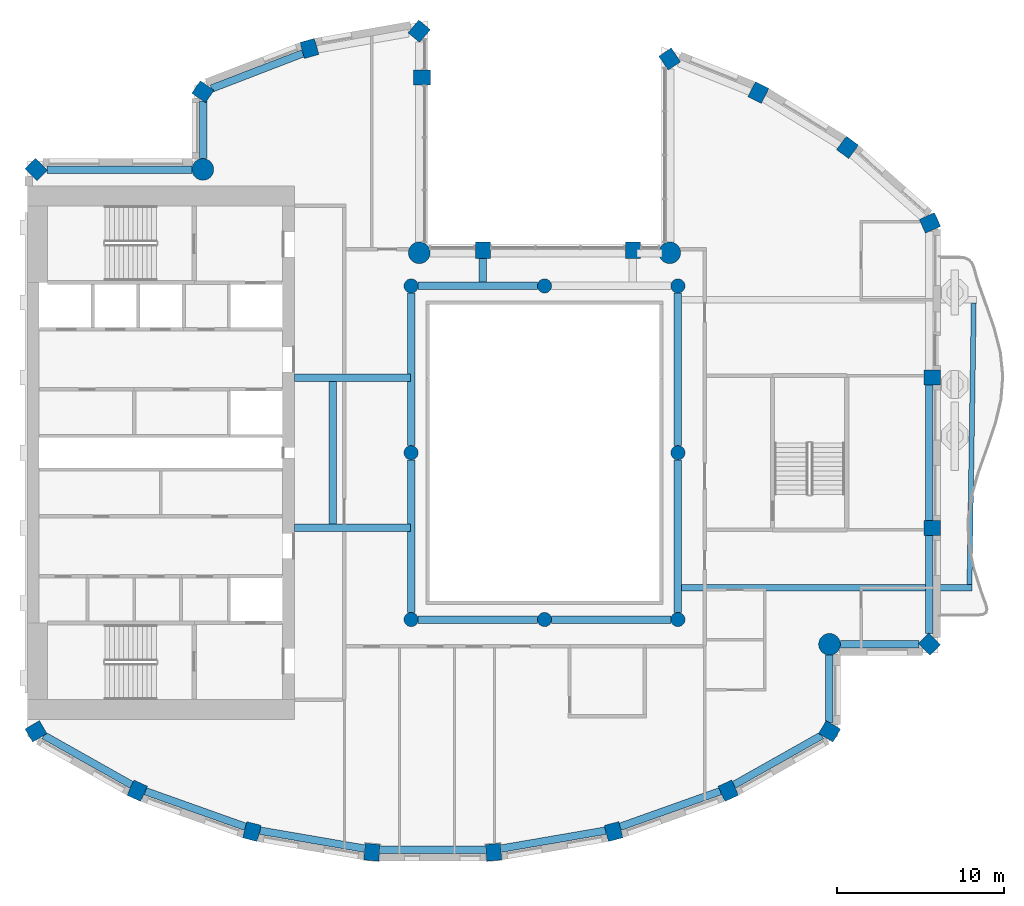
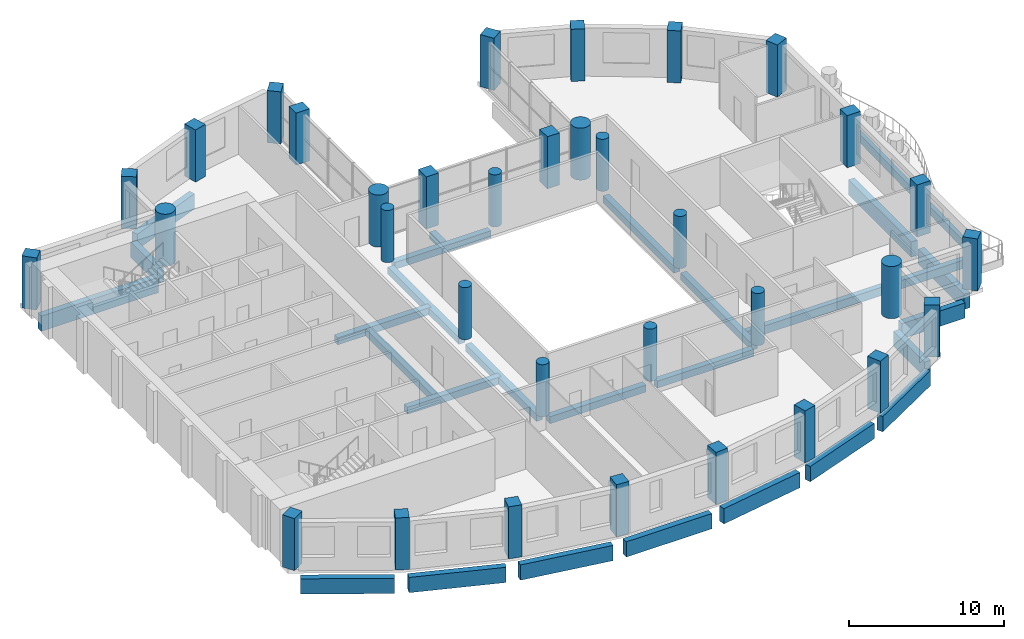
# One storey, part 1 of 14: 34 columns, 27 beams.
"""IFC4 building model written with IfcOpenShell, lengths in metres."""

from ifc_helpers import new_model, si_unit, direction, frame, origin, origin_2d, place, context, subcontext, project, spatial, rectangle, circle, extrude, material, material_profile, profile_set, type_object, element, save


model = new_model("IFC4")

# Units and contexts
model_context = context("Model", 3, precision=1e-05, world=origin(), true_north=direction((0.0, 1.0)))
body_context = subcontext(model_context, "Body", "Model", "MODEL_VIEW")
ifc_project = project(units=[si_unit("LENGTHUNIT", "METRE"), si_unit("AREAUNIT", "SQUARE_METRE"), si_unit("VOLUMEUNIT", "CUBIC_METRE"), si_unit("PLANEANGLEUNIT", "RADIAN"), si_unit("MASSUNIT", "GRAM", prefix="KILO")], contexts=[model_context])

# Site, building, storey
site_placement = place(None, origin())
site = spatial("IfcSite", under=ifc_project, at=site_placement, CompositionType="ELEMENT")
building_placement = place(site_placement, origin())
building = spatial("IfcBuilding", under=site, at=building_placement, Name="Cypress Arch Tower", CompositionType="ELEMENT")
storey_placement = place(building_placement, frame((0.0, 0.0, 300.800048828125)))
storey = spatial("IfcBuildingStorey", under=building, at=storey_placement, Name="L68", CompositionType="ELEMENT", Elevation=300.800048828125)

# Columns
ifc_material_1 = material(Name="Concrete C60/75", Category="concrete")
ifc_material_profile_1 = material_profile(ifc_material_1, rectangle(XDim=0.89990234375, YDim=1.0, at=origin_2d()), Name="RC 900x1000")
ifc_profile_set_1 = profile_set([ifc_material_profile_1], Name="Concrete C60/75")
column_type_1 = type_object("IfcColumnType", Name="Column RC 900x1000 Concrete C60/75", PredefinedType="COLUMN", material=ifc_profile_set_1)
for number, where, z_axis, x_axis, name in (
    (1, (8.5029296875, 23.606201171875, 0.0), (0.0, 0.0, 1.0), (-0.828469606019, -0.560034027451, 0.0), "Column L68 CC00"),
    (2, (6.300048828125, 12.14990234375, 0.0), (0.0, 0.0, 1.0), (-1.0, 0.0, 0.0), "Column L68 CC02"),
    (3, (-2.699951171875, 12.14990234375, 0.0), (0.0, 0.0, 1.0), (-1.0, 0.0, 0.0), "Column L68 CC03"),
    (4, (-6.35009765625, 22.5, 0.0), (0.0, 0.0, 1.0), (0.0, 1.0, 0.0), "Column L68 CC05"),
    (5, (-6.51611328125, 25.27490234375, 0.0), (0.0, 0.0, 1.0), (-0.766063514674, 0.642764880407, 0.0), "Column L68 CC06"),
    (6, (-13.0947265625, 24.241455078125, 0.0), (0.0, 0.0, 1.0), (-0.96345574646, -0.267867550506, 0.0), "Column L68 CC07"),
    (7, (-19.483154296875, 21.645263671875, 0.0), (0.0, 0.0, 1.0), (-0.565892599589, -0.824478966215, 0.0), "Column L68 CC08"),
    (8, (-29.478271484375, 16.978271484375, 0.0), (0.0, 0.0, 1.0), (-0.707106781187, -0.707106781187, 0.0), "Column L68 CC10"),
    (9, (-29.4912109375, -16.702880859375, 0.0), (0.0, 0.0, 1.0), (0.504399289829, -0.86347053014, 0.0), "Column L68 CC11"),
    (10, (-23.4189453125, -20.266845703125, 0.0), (0.0, 0.0, 1.0), (0.909932071487, -0.414757308891, 0.0), "Column L68 CC12"),
    (11, (-16.541748046875, -22.714599609375, 0.0), (0.0, 0.0, 1.0), (0.96735573689, -0.2534223319, 0.0), "Column L68 CC13"),
    (12, (-9.346923828125, -23.95361328125, 0.0), (0.0, 0.0, 1.0), (0.996368206733, -0.085149260784, 0.0), "Column L68 CC14"),
    (13, (-2.052978515625, -23.95361328125, 0.0), (0.0, 0.0, 1.0), (0.996368206733, 0.085149260784, 0.0), "Column L68 CC15"),
    (14, (5.1416015625, -22.714599609375, 0.0), (0.0, 0.0, 1.0), (0.96735573689, 0.2534223319, 0.0), "Column L68 CC16"),
    (15, (12.01904296875, -20.266845703125, 0.0), (0.0, 0.0, 1.0), (0.909932071487, 0.414757308891, 0.0), "Column L68 CC17"),
    (16, (18.09130859375, -16.702880859375, 0.0), (0.0, 0.0, 1.0), (0.504399289829, 0.86347053014, 0.0), "Column L68 CC18"),
    (17, (24.078369140625, -11.478271484375, 0.0), (0.0, 0.0, 1.0), (0.707106781187, 0.707106781187, 0.0), "Column L68 CC20"),
    (18, (24.25, -4.5, 0.0), (0.0, 0.0, 1.0), (0.0, 1.0, 0.0), "Column L68 CC21"),
    (19, (24.25, 4.5, 0.0), (0.0, 0.0, 1.0), (0.0, 1.0, 0.0), "Column L68 CC22"),
    (20, (24.109619140625, 13.77978515625, 0.0), (0.0, 0.0, 1.0), (-0.409765058504, 0.912191096662, 0.0), "Column L68 CC23"),
    (21, (19.168212890625, 18.307861328125, 0.0), (0.0, 0.0, 1.0), (-0.802798546114, 0.596250362144, 0.0), "Column L68 CC24"),
    (22, (13.82568359375, 21.59375, 0.0), (0.0, 0.0, 1.0), (-0.893106499805, 0.44984528452, 0.0), "Column L68 CC25"),
):
    element("IfcColumn", number, at=place(storey_placement, frame(where, z_axis=z_axis, x_axis=x_axis)), inside=storey, type_object=column_type_1, Name=name, PredefinedType="COLUMN", context=body_context, shape_type="SweptSolid", body=[
        extrude(rectangle(XDim=0.89990234375, YDim=1.0, at=origin_2d()), origin(), (0.0, 0.0, 1.0), 4.099853515625),
    ])
ifc_material_2 = material(Name="Concrete C60/75", Category="concrete")
ifc_material_profile_2 = material_profile(ifc_material_2, circle(Radius=0.425048828125, at=origin_2d()), Name="RC D850")
ifc_profile_set_2 = profile_set([ifc_material_profile_2], Name="Concrete C60/75")
column_type_2 = type_object("IfcColumnType", Name="Column RC D850 Concrete C60/75", PredefinedType="COLUMN", material=ifc_profile_set_2)
for number, where, z_axis, x_axis, name in (
    (23, (-7.0, -10.0, 0.0), (0.0, 0.0, 1.0), (1.0, 0.0, 0.0), "Column L68 RNG-L68-G-7-10"),
    (24, (-7.0, 0.0, 0.0), (0.0, 0.0, 1.0), (1.0, 0.0, 0.0), "Column L68 RNG-L68-G-7+0"),
    (25, (-7.0, 10.0, 0.0), (0.0, 0.0, 1.0), (1.0, 0.0, 0.0), "Column L68 RNG-L68-G-7+10"),
    (26, (1.0, -10.0, 0.0), (0.0, 0.0, 1.0), (1.0, 0.0, 0.0), "Column L68 RNG-L68-G+1-10"),
    (27, (1.0, 10.0, 0.0), (0.0, 0.0, 1.0), (1.0, 0.0, 0.0), "Column L68 RNG-L68-G+1+10"),
    (28, (9.0, -10.0, 0.0), (0.0, 0.0, 1.0), (1.0, 0.0, 0.0), "Column L68 RNG-L68-G+9-10"),
    (29, (9.0, 0.0, 0.0), (0.0, 0.0, 1.0), (1.0, 0.0, 0.0), "Column L68 RNG-L68-G+9+0"),
    (30, (9.0, 10.0, 0.0), (0.0, 0.0, 1.0), (1.0, 0.0, 0.0), "Column L68 RNG-L68-G+9+10"),
):
    element("IfcColumn", number, at=place(storey_placement, frame(where, z_axis=z_axis, x_axis=x_axis)), inside=storey, type_object=column_type_2, Name=name, PredefinedType="COLUMN", context=body_context, shape_type="SweptSolid", body=[
        extrude(circle(Radius=0.425048828125, at=origin_2d()), origin(), (0.0, 0.0, 1.0), 4.099853515625),
    ])
ifc_material_3 = material(Name="Concrete C60/75", Category="concrete")
ifc_material_profile_3 = material_profile(ifc_material_3, circle(Radius=0.64990234375, at=origin_2d()), Name="RC D1300")
ifc_profile_set_3 = profile_set([ifc_material_profile_3], Name="Concrete C60/75")
column_type_3 = type_object("IfcColumnType", Name="Mega-column RC D1300 Concrete C60/75", PredefinedType="COLUMN", material=ifc_profile_set_3)
for number, where, z_axis, x_axis, name in (
    (31, (8.51220703125, 11.98779296875, 0.0), (0.0, 0.0, 1.0), (1.0, 0.0, 0.0), "Column L68 CC01"),
    (32, (-6.51220703125, 11.98779296875, 0.0), (0.0, 0.0, 1.0), (1.0, 0.0, 0.0), "Column L68 CC04"),
    (33, (-19.48779296875, 16.98779296875, 0.0), (0.0, 0.0, 1.0), (1.0, 0.0, 0.0), "Column L68 CC09"),
    (34, (18.087890625, -11.48779296875, 0.0), (0.0, 0.0, 1.0), (1.0, 0.0, 0.0), "Column L68 CC19"),
):
    element("IfcColumn", number, at=place(storey_placement, frame(where, z_axis=z_axis, x_axis=x_axis)), inside=storey, type_object=column_type_3, Name=name, PredefinedType="COLUMN", context=body_context, shape_type="SweptSolid", body=[
        extrude(circle(Radius=0.64990234375, at=origin_2d()), origin(), (0.0, 0.0, 1.0), 4.099853515625),
    ])

# Beams
ifc_material_4 = material(Name="Concrete C50/60", Category="concrete")
ifc_material_profile_4 = material_profile(ifc_material_4, rectangle(XDim=0.300048828125, YDim=0.64990234375, at=origin_2d()), Name="RC 300x650")
ifc_profile_set_4 = profile_set([ifc_material_profile_4], Name="Concrete C50/60")
beam_type_1 = type_object("IfcBeamType", Name="Balcony edge beam RC 300x650 Concrete C50/60", PredefinedType="BEAM", material=ifc_profile_set_4)
beam_1_placement = place(storey_placement, frame((26.482421875, -7.89990234375, -0.625), z_axis=(0.015052306729, 0.999886707613, 0.0), x_axis=(-0.999886707613, 0.015052306729, 0.0)))
element("IfcBeam", 35, at=beam_1_placement, inside=storey, type_object=beam_type_1, Name="Balcony edge beam L68 C17", PredefinedType="BEAM", context=body_context, shape_type="SweptSolid", body=[
    extrude(rectangle(XDim=0.300048828125, YDim=0.64990234375, at=origin_2d()), origin(), (0.0, 0.0, 1.0), 16.884521484375),
])
ifc_material_5 = material(Name="Concrete C50/60", Category="concrete")
ifc_material_profile_5 = material_profile(ifc_material_5, rectangle(XDim=0.39990234375, YDim=0.64990234375, at=origin_2d()), Name="RC 400x650")
ifc_profile_set_5 = profile_set([ifc_material_profile_5], Name="Concrete C50/60")
beam_type_2 = type_object("IfcBeamType", Name="Cantilever beam RC 400x650 Concrete C50/60", PredefinedType="BEAM", material=ifc_profile_set_5)
beam_2_placement = place(storey_placement, frame((9.22509765625, -8.10009765625, -0.625), z_axis=(1.0, 0.0, 0.0), x_axis=(0.0, 1.0, 0.0)))
element("IfcBeam", 36, at=beam_2_placement, inside=storey, type_object=beam_type_2, Name="Cantilever beam L68 C17 1", PredefinedType="BEAM", context=body_context, shape_type="SweptSolid", body=[
    extrude(rectangle(XDim=0.39990234375, YDim=0.64990234375, at=origin_2d()), origin(), (0.0, 0.0, 1.0), 17.407470703125),
])
ifc_material_6 = material(Name="Concrete C50/60", Category="concrete")
ifc_material_profile_6 = material_profile(ifc_material_6, rectangle(XDim=0.449951171875, YDim=0.550048828125, at=origin_2d()), Name="RC 450x550")
ifc_profile_set_6 = profile_set([ifc_material_profile_6], Name="Concrete C50/60")
beam_type_3 = type_object("IfcBeamType", Name="Floor beam RC 450x550 Concrete C50/60", PredefinedType="BEAM", material=ifc_profile_set_6)
for number, where, z_axis, x_axis, name in (
    (37, (-7.0, -9.574951171875, -0.574951171875), (0.0, 1.0, 0.0), (-1.0, 0.0, 0.0), "Floor beam L68 RB001"),
    (38, (-7.0, 0.425048828125, -0.574951171875), (0.0, 1.0, 0.0), (-1.0, 0.0, 0.0), "Floor beam L68 RB002"),
    (39, (9.0, -9.574951171875, -0.574951171875), (0.0, 1.0, 0.0), (-1.0, 0.0, 0.0), "Floor beam L68 RB003"),
    (40, (9.0, 0.425048828125, -0.574951171875), (0.0, 1.0, 0.0), (-1.0, 0.0, 0.0), "Floor beam L68 RB004"),
):
    element("IfcBeam", number, at=place(storey_placement, frame(where, z_axis=z_axis, x_axis=x_axis)), inside=storey, type_object=beam_type_3, Name=name, PredefinedType="BEAM", context=body_context, shape_type="SweptSolid", body=[
        extrude(rectangle(XDim=0.449951171875, YDim=0.550048828125, at=origin_2d()), origin(), (0.0, 0.0, 1.0), 9.14990234375),
    ])
for number, where, z_axis, x_axis, name in (
    (41, (-6.574951171875, -10.0, -0.574951171875), (1.0, 0.0, 0.0), (0.0, 1.0, 0.0), "Floor beam L68 RB005"),
    (42, (1.425048828125, -10.0, -0.574951171875), (1.0, 0.0, 0.0), (0.0, 1.0, 0.0), "Floor beam L68 RB006"),
    (43, (-6.574951171875, 10.0, -0.574951171875), (1.0, 0.0, 0.0), (0.0, 1.0, 0.0), "Floor beam L68 RB007"),
):
    element("IfcBeam", number, at=place(storey_placement, frame(where, z_axis=z_axis, x_axis=x_axis)), inside=storey, type_object=beam_type_3, Name=name, PredefinedType="BEAM", context=body_context, shape_type="SweptSolid", body=[
        extrude(rectangle(XDim=0.449951171875, YDim=0.550048828125, at=origin_2d()), origin(), (0.0, 0.0, 1.0), 7.14990234375),
    ])
for number, where, z_axis, x_axis, name in (
    (44, (-14.0, -4.5, -0.574951171875), (1.0, 0.0, 0.0), (0.0, 1.0, 0.0), "Floor beam L68 FB009"),
    (45, (-14.0, 4.5, -0.574951171875), (1.0, 0.0, 0.0), (0.0, 1.0, 0.0), "Floor beam L68 FB010"),
):
    element("IfcBeam", number, at=place(storey_placement, frame(where, z_axis=z_axis, x_axis=x_axis)), inside=storey, type_object=beam_type_3, Name=name, PredefinedType="BEAM", context=body_context, shape_type="SweptSolid", body=[
        extrude(rectangle(XDim=0.449951171875, YDim=0.550048828125, at=origin_2d()), origin(), (0.0, 0.0, 1.0), 6.949951171875),
    ])
beam_3_placement = place(storey_placement, frame((-11.699951171875, -4.27490234375, -0.574951171875), z_axis=(0.0, 1.0, 0.0), x_axis=(-1.0, 0.0, 0.0)))
element("IfcBeam", 46, at=beam_3_placement, inside=storey, type_object=beam_type_3, Name="Floor beam L68 FB011", PredefinedType="BEAM", context=body_context, shape_type="SweptSolid", body=[
    extrude(rectangle(XDim=0.449951171875, YDim=0.550048828125, at=origin_2d()), origin(), (0.0, 0.0, 1.0), 8.5498046875),
])
beam_4_placement = place(storey_placement, frame((-2.699951171875, 10.22509765625, -0.574951171875), z_axis=(0.0, 1.0, 0.0), x_axis=(-1.0, 0.0, 0.0)))
element("IfcBeam", 47, at=beam_4_placement, inside=storey, type_object=beam_type_3, Name="Floor beam L68 FB012", PredefinedType="BEAM", context=body_context, shape_type="SweptSolid", body=[
    extrude(rectangle(XDim=0.449951171875, YDim=0.550048828125, at=origin_2d()), origin(), (0.0, 0.0, 1.0), 1.4248046875),
])
ifc_material_7 = material(Name="Concrete C50/60", Category="concrete")
ifc_material_profile_7 = material_profile(ifc_material_7, rectangle(XDim=0.449951171875, YDim=1.199951171875, at=origin_2d()), Name="RC 450x1200")
ifc_profile_set_7 = profile_set([ifc_material_profile_7], Name="Concrete C50/60")
beam_type_4 = type_object("IfcBeamType", Name="Spandrel beam RC 450x1200 Concrete C50/60", PredefinedType="SPANDREL", material=ifc_profile_set_7)
beam_5_placement = place(storey_placement, frame((-13.48046875, 23.94921875, -1.550048828125), z_axis=(-0.933138853319, -0.359516175472, 0.0), x_axis=(0.359516175472, -0.933138853319, 0.0)))
element("IfcBeam", 48, at=beam_5_placement, inside=storey, type_object=beam_type_4, Name="Spandrel beam L68 BC04-0", PredefinedType="SPANDREL", context=body_context, shape_type="SweptSolid", body=[
    extrude(rectangle(XDim=0.449951171875, YDim=1.199951171875, at=origin_2d()), origin(), (0.0, 0.0, 1.0), 5.878173828125),
])
beam_6_placement = place(storey_placement, frame((-19.47509765625, 21.09375, -1.550048828125), z_axis=(0.0, -1.0, 0.0), x_axis=(1.0, 0.0, 0.0)))
element("IfcBeam", 49, at=beam_6_placement, inside=storey, type_object=beam_type_4, Name="Spandrel beam L68 BC05-0", PredefinedType="SPANDREL", context=body_context, shape_type="SweptSolid", body=[
    extrude(rectangle(XDim=0.449951171875, YDim=1.199951171875, at=origin_2d()), origin(), (0.0, 0.0, 1.0), 3.456298828125),
])
beam_7_placement = place(storey_placement, frame((-20.137451171875, 16.97509765625, -1.550048828125), z_axis=(-1.0, 0.0, 0.0), x_axis=(0.0, -1.0, 0.0)))
element("IfcBeam", 50, at=beam_7_placement, inside=storey, type_object=beam_type_4, Name="Spandrel beam L68 BC06-0", PredefinedType="SPANDREL", context=body_context, shape_type="SweptSolid", body=[
    extrude(rectangle(XDim=0.449951171875, YDim=1.199951171875, at=origin_2d()), origin(), (0.0, 0.0, 1.0), 8.701171875),
])
beam_8_placement = place(storey_placement, frame((-29.02099609375, -16.94921875, -1.550048828125), z_axis=(0.871059543975, -0.491177433165, 0.0), x_axis=(0.491177433165, 0.871059543975, 0.0)))
element("IfcBeam", 51, at=beam_8_placement, inside=storey, type_object=beam_type_4, Name="Spandrel beam L68 BC08-0", PredefinedType="SPANDREL", context=body_context, shape_type="SweptSolid", body=[
    extrude(rectangle(XDim=0.449951171875, YDim=1.199951171875, at=origin_2d()), origin(), (0.0, 0.0, 1.0), 6.045654296875),
])
beam_9_placement = place(storey_placement, frame((-22.93603515625, -20.2919921875, -1.550048828125), z_axis=(0.942120065582, -0.33527568064, 0.0), x_axis=(0.33527568064, 0.942120065582, 0.0)))
element("IfcBeam", 52, at=beam_9_placement, inside=storey, type_object=beam_type_4, Name="Spandrel beam L68 BC09-0", PredefinedType="SPANDREL", context=body_context, shape_type="SweptSolid", body=[
    extrude(rectangle(XDim=0.449951171875, YDim=1.199951171875, at=origin_2d()), origin(), (0.0, 0.0, 1.0), 6.373046875),
])
beam_10_placement = place(storey_placement, frame((-16.061279296875, -22.656982421875, -1.550048828125), z_axis=(0.985502990778, -0.169658053646, 0.0), x_axis=(0.169658053646, 0.985502990778, 0.0)))
element("IfcBeam", 53, at=beam_10_placement, inside=storey, type_object=beam_type_4, Name="Spandrel beam L68 BC10-0", PredefinedType="SPANDREL", context=body_context, shape_type="SweptSolid", body=[
    extrude(rectangle(XDim=0.449951171875, YDim=1.199951171875, at=origin_2d()), origin(), (0.0, 0.0, 1.0), 6.373291015625),
])
beam_11_placement = place(storey_placement, frame((-8.883544921875, -23.81494140625, -1.550048828125), z_axis=(1.0, 0.0, 0.0), x_axis=(0.0, 1.0, 0.0)))
element("IfcBeam", 54, at=beam_11_placement, inside=storey, type_object=beam_type_4, Name="Spandrel beam L68 BC11-0", PredefinedType="SPANDREL", context=body_context, shape_type="SweptSolid", body=[
    extrude(rectangle(XDim=0.449951171875, YDim=1.199951171875, at=origin_2d()), origin(), (0.0, 0.0, 1.0), 6.366943359375),
])
beam_12_placement = place(storey_placement, frame((-1.619873046875, -23.73828125, -1.550048828125), z_axis=(0.985504093315, 0.169651649149, 0.0), x_axis=(-0.169651649149, 0.985504093315, 0.0)))
element("IfcBeam", 55, at=beam_12_placement, inside=storey, type_object=beam_type_4, Name="Spandrel beam L68 BC12-0", PredefinedType="SPANDREL", context=body_context, shape_type="SweptSolid", body=[
    extrude(rectangle(XDim=0.449951171875, YDim=1.199951171875, at=origin_2d()), origin(), (0.0, 0.0, 1.0), 6.37353515625),
])
beam_13_placement = place(storey_placement, frame((5.531982421875, -22.4287109375, -1.550048828125), z_axis=(0.942115759102, 0.335287781541, 0.0), x_axis=(-0.335287781541, 0.942115759102, 0.0)))
element("IfcBeam", 56, at=beam_13_placement, inside=storey, type_object=beam_type_4, Name="Spandrel beam L68 BC13-0", PredefinedType="SPANDREL", context=body_context, shape_type="SweptSolid", body=[
    extrude(rectangle(XDim=0.449951171875, YDim=1.199951171875, at=origin_2d()), origin(), (0.0, 0.0, 1.0), 6.372802734375),
])
beam_14_placement = place(storey_placement, frame((12.35498046875, -19.918701171875, -1.550048828125), z_axis=(0.871059543975, 0.491177433165, 0.0), x_axis=(-0.491177433165, 0.871059543975, 0.0)))
element("IfcBeam", 57, at=beam_14_placement, inside=storey, type_object=beam_type_4, Name="Spandrel beam L68 BC14-0", PredefinedType="SPANDREL", context=body_context, shape_type="SweptSolid", body=[
    extrude(rectangle(XDim=0.449951171875, YDim=1.199951171875, at=origin_2d()), origin(), (0.0, 0.0, 1.0), 6.045654296875),
])
beam_15_placement = place(storey_placement, frame((18.074951171875, -16.172119140625, -1.550048828125), z_axis=(0.0, 1.0, 0.0), x_axis=(-1.0, 0.0, 0.0)))
element("IfcBeam", 58, at=beam_15_placement, inside=storey, type_object=beam_type_4, Name="Spandrel beam L68 BC15-0", PredefinedType="SPANDREL", context=body_context, shape_type="SweptSolid", body=[
    extrude(rectangle(XDim=0.449951171875, YDim=1.199951171875, at=origin_2d()), origin(), (0.0, 0.0, 1.0), 4.03466796875),
])
beam_16_placement = place(storey_placement, frame((18.737548828125, -11.47509765625, -1.550048828125), z_axis=(1.0, 0.0, 0.0), x_axis=(0.0, 1.0, 0.0)))
element("IfcBeam", 59, at=beam_16_placement, inside=storey, type_object=beam_type_4, Name="Spandrel beam L68 BC16-0", PredefinedType="SPANDREL", context=body_context, shape_type="SweptSolid", body=[
    extrude(rectangle(XDim=0.449951171875, YDim=1.199951171875, at=origin_2d()), origin(), (0.0, 0.0, 1.0), 4.701171875),
])
beam_17_placement = place(storey_placement, frame((24.074951171875, -10.838623046875, -1.550048828125), z_axis=(0.0, 1.0, 0.0), x_axis=(-1.0, 0.0, 0.0)))
element("IfcBeam", 60, at=beam_17_placement, inside=storey, type_object=beam_type_4, Name="Spandrel beam L68 BC17-0", PredefinedType="SPANDREL", context=body_context, shape_type="SweptSolid", body=[
    extrude(rectangle(XDim=0.449951171875, YDim=1.199951171875, at=origin_2d()), origin(), (0.0, 0.0, 1.0), 5.888671875),
])
beam_18_placement = place(storey_placement, frame((24.074951171875, -4.050048828125, -1.550048828125), z_axis=(0.0, 1.0, 0.0), x_axis=(-1.0, 0.0, 0.0)))
element("IfcBeam", 61, at=beam_18_placement, inside=storey, type_object=beam_type_4, Name="Spandrel beam L68 BC17-1", PredefinedType="SPANDREL", context=body_context, shape_type="SweptSolid", body=[
    extrude(rectangle(XDim=0.449951171875, YDim=1.199951171875, at=origin_2d()), origin(), (0.0, 0.0, 1.0), 8.10009765625),
])

save(model, "model.ifc")
